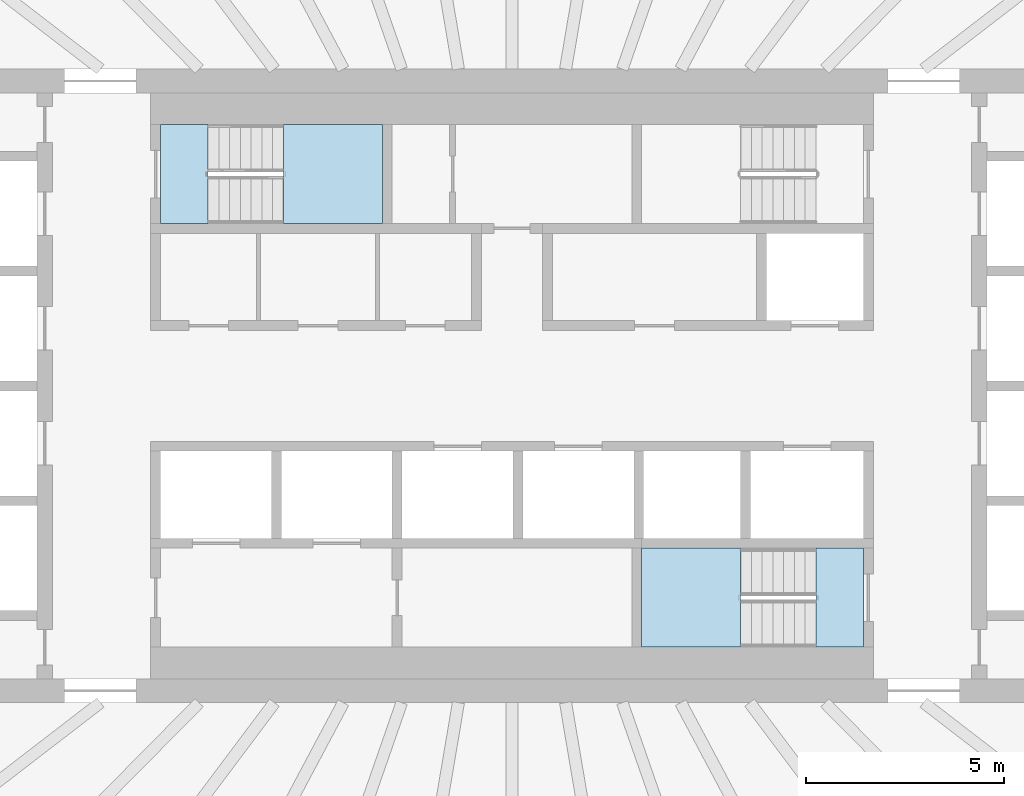
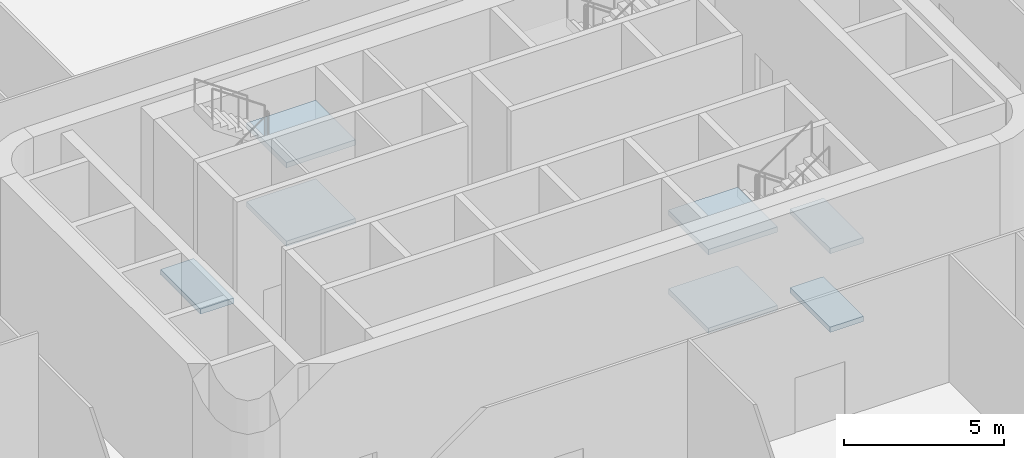
# One storey, part 17 of 37: 7 slabs, 2 elements without a shape of their own.
"""IFC4 building model written with IfcOpenShell, lengths in metres."""

from ifc_helpers import new_model, si_unit, direction, frame, origin, place, context, subcontext, project, spatial, polyline, outline, extrude, material, layer, layer_set, type_object, element, aggregate, save


model = new_model("IFC4")

# Units and contexts
model_context = context("Model", 3, precision=1e-05, world=origin(), true_north=direction((0.0, 1.0)))
body_context = subcontext(model_context, "Body", "Model", "MODEL_VIEW")
ifc_project = project(units=[si_unit("LENGTHUNIT", "METRE"), si_unit("AREAUNIT", "SQUARE_METRE"), si_unit("VOLUMEUNIT", "CUBIC_METRE"), si_unit("PLANEANGLEUNIT", "RADIAN"), si_unit("MASSUNIT", "GRAM", prefix="KILO")], contexts=[model_context])

# Site, building, storey
site_placement = place(None, origin())
site = spatial("IfcSite", under=ifc_project, at=site_placement, CompositionType="ELEMENT")
building_placement = place(site_placement, origin())
building = spatial("IfcBuilding", under=site, at=building_placement, Name="Sahrelin Media Tower", CompositionType="ELEMENT")
storey_placement = place(building_placement, frame((0.0, 0.0, 31.39990234375)))
storey = spatial("IfcBuildingStorey", under=building, at=storey_placement, Name="L04", CompositionType="ELEMENT", Elevation=31.39990234375)

# Stair, slabs
ifc_material = material(Name="Concrete C40/50", Category="concrete")
stair_type = type_object("IfcStairType", Name="Exit stair 1200", PredefinedType="HALF_TURN_STAIR", material=ifc_material)
placement_1 = place(storey_placement, origin())
stair_1 = element("IfcStair", 1, at=placement_1, inside=storey, type_object=stair_type, Name="L04 Exit stair ST1", PredefinedType="HALF_TURN_STAIR")
ifc_layer = layer(ifc_material, 0.199951171875)
ifc_layer_set = layer_set([ifc_layer], Name="Stair landing 200")
slab_type = type_object("IfcSlabType", Name="Stair landing 200", PredefinedType="LANDING", material=ifc_layer_set)
placement_2 = place(storey_placement, frame((0.0, 0.0, 1.300048828125)))
slab_1 = element("IfcSlab", 2, at=placement_2, type_object=slab_type, Name="ST1 landing 1", PredefinedType="LANDING", context=body_context, shape_type="SweptSolid", body=[
    extrude(outline(polyline([(-5.77490234375, 4.10009765625), (-3.27490234375, 4.10009765625), (-3.27490234375, 6.60009765625), (-5.77490234375, 6.60009765625), (-5.77490234375, 4.10009765625)])), origin(), (0.0, 0.0, 1.0), 0.199951171875),
])
placement_3 = place(storey_placement, frame((0.0, 0.0, 4.300048828125)))
slab_2 = element("IfcSlab", 3, at=placement_3, type_object=slab_type, Name="ST1 landing 3", PredefinedType="LANDING", context=body_context, shape_type="SweptSolid", body=[
    extrude(outline(polyline([(-5.77490234375, 4.10009765625), (-3.27490234375, 4.10009765625), (-3.27490234375, 6.60009765625), (-5.77490234375, 6.60009765625), (-5.77490234375, 4.10009765625)])), origin(), (0.0, 0.0, 1.0), 0.199951171875),
])
placement_4 = place(storey_placement, frame((0.0, 0.0, -0.199951171875)))
slab_3 = element("IfcSlab", 4, at=placement_4, type_object=slab_type, Name="ST1 landing 4", PredefinedType="LANDING", context=body_context, shape_type="SweptSolid", body=[
    extrude(outline(polyline([(-8.875, 4.10009765625), (-7.675048828125, 4.10009765625), (-7.675048828125, 6.60009765625), (-8.875, 6.60009765625), (-8.875, 4.10009765625)])), origin(), (0.0, 0.0, 1.0), 0.199951171875),
])
aggregate(stair_1, [slab_1, slab_2, slab_3])

stair_2 = element("IfcStair", 5, at=placement_1, inside=storey, type_object=stair_type, Name="L04 Exit stair ST2", PredefinedType="HALF_TURN_STAIR")
slab_4 = element("IfcSlab", 6, at=placement_2, type_object=slab_type, Name="ST2 landing 1", PredefinedType="LANDING", context=body_context, shape_type="SweptSolid", body=[
    extrude(outline(polyline([(5.77490234375, -4.10009765625), (3.27490234375, -4.10009765625), (3.27490234375, -6.60009765625), (5.77490234375, -6.60009765625), (5.77490234375, -4.10009765625)])), origin(), (0.0, 0.0, 1.0), 0.199951171875),
])
slab_5_placement = place(storey_placement, frame((0.0, 0.0, 2.800048828125)))
slab_5 = element("IfcSlab", 7, at=slab_5_placement, type_object=slab_type, Name="ST2 landing 2", PredefinedType="LANDING", context=body_context, shape_type="SweptSolid", body=[
    extrude(outline(polyline([(8.875, -4.10009765625), (7.675048828125, -4.10009765625), (7.675048828125, -6.60009765625), (8.875, -6.60009765625), (8.875, -4.10009765625)])), origin(), (0.0, 0.0, 1.0), 0.199951171875),
])
slab_6 = element("IfcSlab", 8, at=placement_3, type_object=slab_type, Name="ST2 landing 3", PredefinedType="LANDING", context=body_context, shape_type="SweptSolid", body=[
    extrude(outline(polyline([(5.77490234375, -4.10009765625), (3.27490234375, -4.10009765625), (3.27490234375, -6.60009765625), (5.77490234375, -6.60009765625), (5.77490234375, -4.10009765625)])), origin(), (0.0, 0.0, 1.0), 0.199951171875),
])
slab_7 = element("IfcSlab", 9, at=placement_4, type_object=slab_type, Name="ST2 landing 4", PredefinedType="LANDING", context=body_context, shape_type="SweptSolid", body=[
    extrude(outline(polyline([(8.875, -4.10009765625), (7.675048828125, -4.10009765625), (7.675048828125, -6.60009765625), (8.875, -6.60009765625), (8.875, -4.10009765625)])), origin(), (0.0, 0.0, 1.0), 0.199951171875),
])
aggregate(stair_2, [slab_4, slab_5, slab_6, slab_7])

save(model, "model.ifc")
